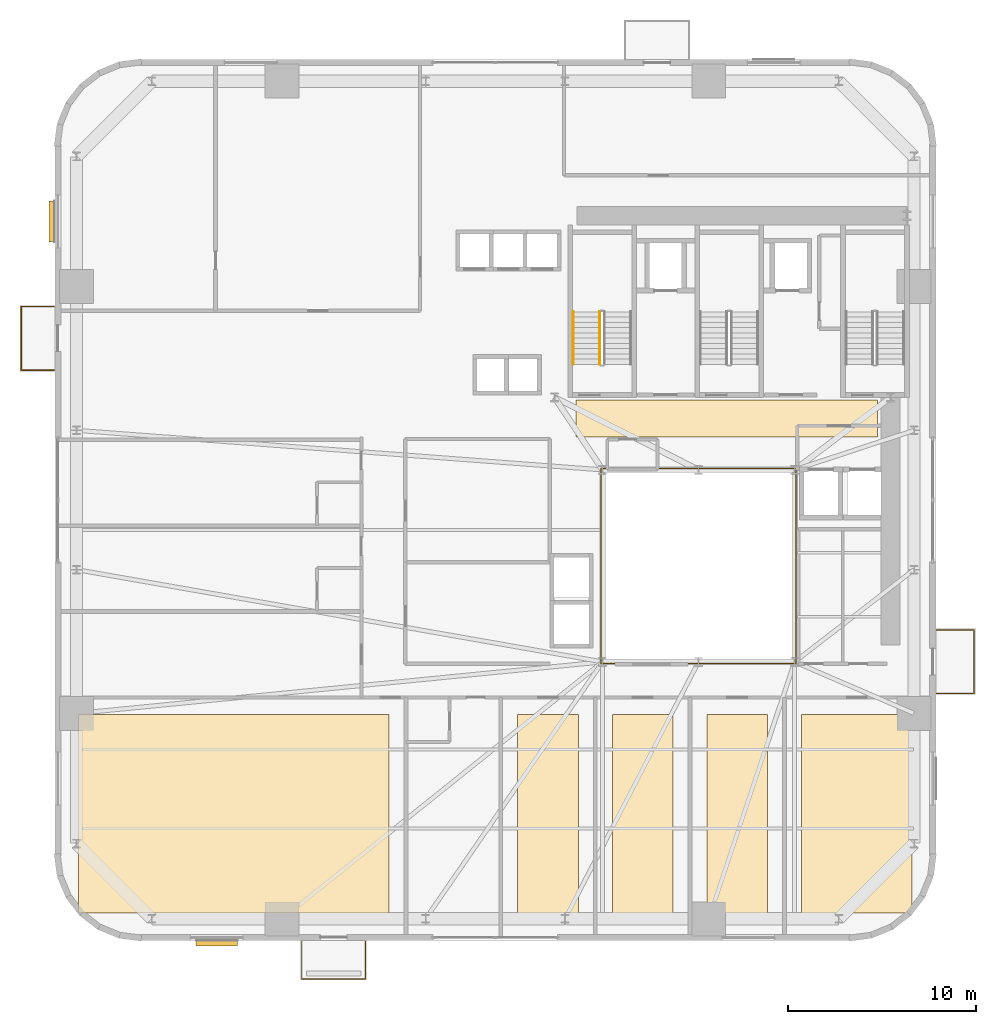
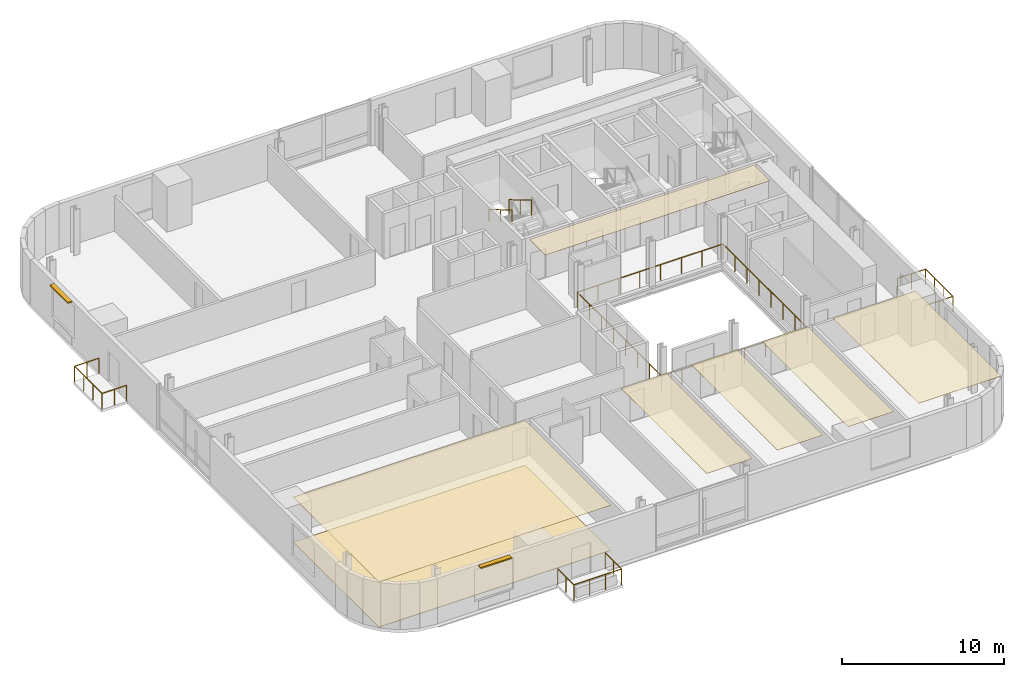
# One storey, part 10 of 11: 7 coverings, 6 railings, 2 shading devices.
"""IFC4 building model written with IfcOpenShell, lengths in metres."""

from ifc_helpers import new_model, si_unit, direction, frame, origin, origin_2d, place, context, subcontext, project, spatial, polyline, rectangle, outline, extrude, source, transform, mapped, material, layer, layer_set, type_object, element, save


model = new_model("IFC4")

# Units and contexts
model_context = context("Model", 3, precision=1e-05, world=origin(), true_north=direction((0.0, 1.0)))
body_context = subcontext(model_context, "Body", "Model", "MODEL_VIEW")
ifc_project = project(units=[si_unit("LENGTHUNIT", "METRE"), si_unit("AREAUNIT", "SQUARE_METRE"), si_unit("VOLUMEUNIT", "CUBIC_METRE"), si_unit("PLANEANGLEUNIT", "RADIAN"), si_unit("MASSUNIT", "GRAM", prefix="KILO")], contexts=[model_context])

# Site, building, storey
site_placement = place(None, origin())
site = spatial("IfcSite", under=ifc_project, at=site_placement, CompositionType="ELEMENT")
building_placement = place(site_placement, origin())
building = spatial("IfcBuilding", under=site, at=building_placement, Name="Vardaveli Station Tower", CompositionType="ELEMENT")
storey_placement = place(building_placement, frame((0.0, 0.0, 42.199951171875)))
storey = spatial("IfcBuildingStorey", under=building, at=storey_placement, Name="L10", CompositionType="ELEMENT", Elevation=42.199951171875)

# Coverings
ifc_material_1 = material(Name="Perforated acoustic mineral ceiling")
ifc_layer_1 = layer(ifc_material_1, 0.02001953125, Name="Perforated acoustic mineral ceiling")
ifc_layer_set_1 = layer_set([ifc_layer_1], Name="Perforated acoustic mineral ceiling")
covering_type_1 = type_object("IfcCoveringType", Name="COV-CEIL-AC20", PredefinedType="CEILING", material=ifc_layer_set_1)
covering_1_placement = place(storey_placement, frame((0.0, 0.0, 3.39501953125)))
element("IfcCovering", 1, at=covering_1_placement, inside=storey, type_object=covering_type_1, Name="CEIL-L10-1", PredefinedType="CEILING", context=body_context, shape_type="SweptSolid", body=[
    extrude(outline(polyline([(3.35009765625, 3.25), (19.860107421875, 3.25), (19.860107421875, 13.81005859375), (3.35009765625, 13.81005859375), (3.35009765625, 3.25)])), origin(), (0.0, 0.0, 1.0), 0.02001953125),
])
covering_2_placement = place(storey_placement, frame((0.0, 0.0, 3.39501953125)))
element("IfcCovering", 2, at=covering_2_placement, inside=storey, type_object=covering_type_1, Name="CEIL-L10-2", PredefinedType="CEILING", context=body_context, shape_type="SweptSolid", body=[
    extrude(outline(polyline([(26.686767578125, 3.25), (29.913330078125, 3.25), (29.913330078125, 13.81005859375), (26.686767578125, 13.81005859375), (26.686767578125, 3.25)])), origin(), (0.0, 0.0, 1.0), 0.02001953125),
])
covering_3_placement = place(storey_placement, frame((0.0, 0.0, 3.39501953125)))
element("IfcCovering", 3, at=covering_3_placement, inside=storey, type_object=covering_type_1, Name="CEIL-L10-3", PredefinedType="CEILING", context=body_context, shape_type="SweptSolid", body=[
    extrude(outline(polyline([(31.71337890625, 3.25), (34.93994140625, 3.25), (34.93994140625, 13.81005859375), (31.71337890625, 13.81005859375), (31.71337890625, 3.25)])), origin(), (0.0, 0.0, 1.0), 0.02001953125),
])
covering_4_placement = place(storey_placement, frame((0.0, 0.0, 3.39501953125)))
element("IfcCovering", 4, at=covering_4_placement, inside=storey, type_object=covering_type_1, Name="CEIL-L10-4", PredefinedType="CEILING", context=body_context, shape_type="SweptSolid", body=[
    extrude(outline(polyline([(36.739990234375, 3.25), (39.966796875, 3.25), (39.966796875, 13.81005859375), (36.739990234375, 13.81005859375), (36.739990234375, 3.25)])), origin(), (0.0, 0.0, 1.0), 0.02001953125),
])
covering_5_placement = place(storey_placement, frame((0.0, 0.0, 3.39501953125)))
element("IfcCovering", 5, at=covering_5_placement, inside=storey, type_object=covering_type_1, Name="CEIL-L10-5", PredefinedType="CEILING", context=body_context, shape_type="SweptSolid", body=[
    extrude(outline(polyline([(41.7666015625, 3.25), (47.64990234375, 3.25), (47.64990234375, 13.81005859375), (41.7666015625, 13.81005859375), (41.7666015625, 3.25)])), origin(), (0.0, 0.0, 1.0), 0.02001953125),
])
covering_6_placement = place(storey_placement, frame((0.0, 0.0, 3.39501953125)))
element("IfcCovering", 6, at=covering_6_placement, inside=storey, type_object=covering_type_1, Name="CEIL-L10-6", PredefinedType="CEILING", context=body_context, shape_type="SweptSolid", body=[
    extrude(outline(polyline([(29.800048828125, 28.550048828125), (45.800048828125, 28.550048828125), (45.800048828125, 30.5), (29.800048828125, 30.5), (29.800048828125, 28.550048828125)])), origin(), (0.0, 0.0, 1.0), 0.02001953125),
])
ifc_material_2 = material(Name="Honed Caucasian basalt and travertine flooring", Category="masonry")
ifc_layer_2 = layer(ifc_material_2, 0.030029296875, Name="Honed Caucasian basalt and travertine flooring")
ifc_layer_set_2 = layer_set([ifc_layer_2], Name="Honed Caucasian basalt and travertine flooring")
covering_type_2 = type_object("IfcCoveringType", Name="COV-FLOOR-ST30", PredefinedType="FLOORING", material=ifc_layer_set_2)
covering_7_placement = place(storey_placement, origin())
element("IfcCovering", 7, at=covering_7_placement, inside=storey, type_object=covering_type_2, Name="FLR-L10-1", PredefinedType="FLOORING", context=body_context, shape_type="SweptSolid", body=[
    extrude(outline(polyline([(3.35009765625, 3.25), (19.860107421875, 3.25), (19.860107421875, 13.81005859375), (3.35009765625, 13.81005859375), (3.35009765625, 3.25)])), origin(), (0.0, 0.0, 1.0), 0.030029296875),
])

# Railings
ifc_material_3 = material(Name="Laminated glass and stainless steel balustrade", Category="steel")
railing_type_1 = type_object("IfcRailingType", Name="RL-BAL-1200", PredefinedType="BALUSTRADE", material=ifc_material_3)
shared_shape_1 = source(origin(), body_context, "Body", "SweptSolid", [
    extrude(rectangle(XDim=0.048095703125, YDim=0.048095703125, at=origin_2d()), frame((0.0, 0.0, 1.17578125), z_axis=(0.0, -1.0, 0.0), x_axis=(1.0, 0.0, 0.0)), (0.0, 0.0, 1.0), 2.0),
    extrude(rectangle(XDim=0.048095703125, YDim=0.048095703125, at=origin_2d()), frame((0.0, -2.0, 1.17578125), z_axis=(1.0, 0.0, 0.0), x_axis=(0.0, 1.0, 0.0)), (0.0, 0.0, 1.0), 3.3798828125),
    extrude(rectangle(XDim=0.048095703125, YDim=0.048095703125, at=origin_2d()), frame((3.3798828125, -2.0, 1.17578125), z_axis=(0.0, 1.0, 0.0), x_axis=(-1.0, 0.0, 0.0)), (0.0, 0.0, 1.0), 2.0),
    extrude(rectangle(XDim=0.0419921875, YDim=0.0419921875, at=origin_2d()), origin(), (0.0, 0.0, 1.0), 1.15185546875),
    extrude(rectangle(XDim=0.0419921875, YDim=0.0419921875, at=origin_2d()), frame((0.0, -1.0, 0.0)), (0.0, 0.0, 1.0), 1.15185546875),
    extrude(rectangle(XDim=0.0419921875, YDim=0.0419921875, at=origin_2d()), frame((0.0, -2.0, 0.0)), (0.0, 0.0, 1.0), 1.15185546875),
    extrude(rectangle(XDim=0.0419921875, YDim=0.0419921875, at=origin_2d()), frame((1.126708984375, -2.0, 0.0)), (0.0, 0.0, 1.0), 1.15185546875),
    extrude(rectangle(XDim=0.0419921875, YDim=0.0419921875, at=origin_2d()), frame((2.253173828125, -2.0, 0.0)), (0.0, 0.0, 1.0), 1.15185546875),
    extrude(rectangle(XDim=0.0419921875, YDim=0.0419921875, at=origin_2d()), frame((3.3798828125, -2.0, 0.0)), (0.0, 0.0, 1.0), 1.15185546875),
    extrude(rectangle(XDim=0.0419921875, YDim=0.0419921875, at=origin_2d()), frame((3.3798828125, -1.0, 0.0)), (0.0, 0.0, 1.0), 1.15185546875),
    extrude(rectangle(XDim=0.0419921875, YDim=0.0419921875, at=origin_2d()), frame((3.3798828125, 0.0, 0.0)), (0.0, 0.0, 1.0), 1.15185546875),
])
railing_1_placement = place(storey_placement, frame((15.220458984375, 1.760009765625, 0.0)))
element("IfcRailing", 8, at=railing_1_placement, inside=storey, type_object=railing_type_1, Name="RL-LOG-L10-01", PredefinedType="BALUSTRADE", context=body_context, shape_type="MappedRepresentation", body=[
    mapped(shared_shape_1, transform((0.0, 0.0, 0.0), scale=1.0)),
])
shared_shape_2 = source(origin(), body_context, "Body", "SweptSolid", [
    extrude(rectangle(XDim=0.048095703125, YDim=0.048095703125, at=origin_2d()), frame((0.0, 0.0, 1.17578125), z_axis=(-1.0, 0.0, 0.0), x_axis=(0.0, -1.0, 0.0)), (0.0, 0.0, 1.0), 1.75),
    extrude(rectangle(XDim=0.048095703125, YDim=0.048095703125, at=origin_2d()), frame((-1.75, 0.0, 1.17578125), z_axis=(0.0, 1.0, 0.0), x_axis=(-1.0, 0.0, 0.0)), (0.0, 0.0, 1.0), 3.3798828125),
    extrude(rectangle(XDim=0.048095703125, YDim=0.048095703125, at=origin_2d()), frame((-1.75, 3.3798828125, 1.17578125), z_axis=(1.0, 0.0, 0.0), x_axis=(0.0, 1.0, 0.0)), (0.0, 0.0, 1.0), 1.75),
    extrude(rectangle(XDim=0.0419921875, YDim=0.0419921875, at=origin_2d()), origin(), (0.0, 0.0, 1.0), 1.15185546875),
    extrude(rectangle(XDim=0.0419921875, YDim=0.0419921875, at=origin_2d()), frame((-0.875, 0.0, 0.0)), (0.0, 0.0, 1.0), 1.15185546875),
    extrude(rectangle(XDim=0.0419921875, YDim=0.0419921875, at=origin_2d()), frame((-1.75, 0.0, 0.0)), (0.0, 0.0, 1.0), 1.15185546875),
    extrude(rectangle(XDim=0.0419921875, YDim=0.0419921875, at=origin_2d()), frame((-1.75, 1.126708984375, 0.0)), (0.0, 0.0, 1.0), 1.15185546875),
    extrude(rectangle(XDim=0.0419921875, YDim=0.0419921875, at=origin_2d()), frame((-1.75, 2.253173828125, 0.0)), (0.0, 0.0, 1.0), 1.15185546875),
    extrude(rectangle(XDim=0.0419921875, YDim=0.0419921875, at=origin_2d()), frame((-1.75, 3.3798828125, 0.0)), (0.0, 0.0, 1.0), 1.15185546875),
    extrude(rectangle(XDim=0.0419921875, YDim=0.0419921875, at=origin_2d()), frame((-0.875, 3.3798828125, 0.0)), (0.0, 0.0, 1.0), 1.15185546875),
    extrude(rectangle(XDim=0.0419921875, YDim=0.0419921875, at=origin_2d()), frame((0.0, 3.3798828125, 0.0)), (0.0, 0.0, 1.0), 1.15185546875),
])
railing_2_placement = place(storey_placement, frame((2.06005859375, 32.099609375, 0.0)))
element("IfcRailing", 9, at=railing_2_placement, inside=storey, type_object=railing_type_1, Name="RL-LOG-L10-03", PredefinedType="BALUSTRADE", context=body_context, shape_type="MappedRepresentation", body=[
    mapped(shared_shape_2, transform((0.0, 0.0, 0.0), scale=1.0)),
])

# Shading devices
ifc_material_4 = material(Name="Anodised champagne aluminium sunshade", Category="aluminium")
ifc_layer_3 = layer(ifc_material_4, 0.090087890625, Name="Anodised champagne aluminium sunshade")
ifc_layer_set_3 = layer_set([ifc_layer_3], Name="Anodised champagne aluminium sunshade")
shading_device_type = type_object("IfcShadingDeviceType", Name="SHD-SUNSHADE", PredefinedType="USERDEFINED", material=ifc_layer_set_3)
shared_shape_3 = source(origin(), body_context, "Body", "SweptSolid", [
    extrude(rectangle(XDim=2.199951171875, YDim=0.320068359375, at=origin_2d()), origin(), (0.0, 0.0, 1.0), 0.090087890625),
])
for number, where, z_axis, x_axis, name in (
    (10, (10.705078125, 1.655029296875, 3.2900390625), (0.0, 0.0, 1.0), (1.0, 0.0, 0.0), "SHD-SS-L10-S"),
    (11, (1.955078125, 39.9951171875, 3.2900390625), (0.0, 0.0, 1.0), (0.0, 1.0, 0.0), "SHD-SS-L10-W"),
):
    element("IfcShadingDevice", number, at=place(storey_placement, frame(where, z_axis=z_axis, x_axis=x_axis)), inside=storey, type_object=shading_device_type, Name=name, ObjectType="SUNSHADE", PredefinedType="USERDEFINED", context=body_context, shape_type="MappedRepresentation", body=[
        mapped(shared_shape_3, transform((0.0, 0.0, 0.0), scale=1.0)),
    ])

# Railings
shared_shape_4 = source(origin(), body_context, "Body", "SweptSolid", [
    extrude(rectangle(XDim=0.048095703125, YDim=0.048095703125, at=origin_2d()), frame((0.0, 0.0, 1.17578125), z_axis=(1.0, 0.0, 0.0), x_axis=(0.0, 1.0, 0.0)), (0.0, 0.0, 1.0), 2.0),
    extrude(rectangle(XDim=0.048095703125, YDim=0.048095703125, at=origin_2d()), frame((2.0, 0.0, 1.17578125), z_axis=(0.0, 1.0, 0.0), x_axis=(-1.0, 0.0, 0.0)), (0.0, 0.0, 1.0), 3.3798828125),
    extrude(rectangle(XDim=0.048095703125, YDim=0.048095703125, at=origin_2d()), frame((2.0, 3.3798828125, 1.17578125), z_axis=(-1.0, 0.0, 0.0), x_axis=(0.0, -1.0, 0.0)), (0.0, 0.0, 1.0), 2.0),
    extrude(rectangle(XDim=0.0419921875, YDim=0.0419921875, at=origin_2d()), origin(), (0.0, 0.0, 1.0), 1.15185546875),
    extrude(rectangle(XDim=0.0419921875, YDim=0.0419921875, at=origin_2d()), frame((1.0, 0.0, 0.0)), (0.0, 0.0, 1.0), 1.15185546875),
    extrude(rectangle(XDim=0.0419921875, YDim=0.0419921875, at=origin_2d()), frame((2.0, 0.0, 0.0)), (0.0, 0.0, 1.0), 1.15185546875),
    extrude(rectangle(XDim=0.0419921875, YDim=0.0419921875, at=origin_2d()), frame((2.0, 1.126708984375, 0.0)), (0.0, 0.0, 1.0), 1.15185546875),
    extrude(rectangle(XDim=0.0419921875, YDim=0.0419921875, at=origin_2d()), frame((2.0, 2.253173828125, 0.0)), (0.0, 0.0, 1.0), 1.15185546875),
    extrude(rectangle(XDim=0.0419921875, YDim=0.0419921875, at=origin_2d()), frame((2.0, 3.3798828125, 0.0)), (0.0, 0.0, 1.0), 1.15185546875),
    extrude(rectangle(XDim=0.0419921875, YDim=0.0419921875, at=origin_2d()), frame((1.0, 3.3798828125, 0.0)), (0.0, 0.0, 1.0), 1.15185546875),
    extrude(rectangle(XDim=0.0419921875, YDim=0.0419921875, at=origin_2d()), frame((0.0, 3.3798828125, 0.0)), (0.0, 0.0, 1.0), 1.15185546875),
])
railing_3_placement = place(storey_placement, frame((48.93994140625, 14.92041015625, 0.0)))
element("IfcRailing", 12, at=railing_3_placement, inside=storey, type_object=railing_type_1, Name="RL-LOG-L10-04", PredefinedType="BALUSTRADE", context=body_context, shape_type="MappedRepresentation", body=[
    mapped(shared_shape_4, transform((0.0, 0.0, 0.0), scale=1.0)),
])
ifc_material_5 = material(Name="Brushed AISI 316 stainless steel", Category="steel")
railing_type_2 = type_object("IfcRailingType", Name="RL-GUARD-1150", PredefinedType="GUARDRAIL", material=ifc_material_5)
shared_shape_5 = source(origin(), body_context, "Body", "SweptSolid", [
    extrude(rectangle(XDim=0.048095703125, YDim=0.048095703125, at=origin_2d()), frame((0.0, 0.0, 1.1259765625), z_axis=(0.0, -0.860306154799, 0.50977771628), x_axis=(1.0, 0.0, 0.0)), (0.0, 0.0, 1.0), 3.254638671875),
    extrude(rectangle(XDim=0.0419921875, YDim=0.0419921875, at=origin_2d()), origin(), (0.0, 0.0, 1.0), 1.101806640625),
    extrude(rectangle(XDim=0.0419921875, YDim=0.0419921875, at=origin_2d()), frame((0.0, -1.39990234375, 0.82958984375)), (0.0, 0.0, 1.0), 1.101806640625),
    extrude(rectangle(XDim=0.0419921875, YDim=0.0419921875, at=origin_2d()), frame((0.0, -2.800048828125, 1.6591796875)), (0.0, 0.0, 1.0), 1.101806640625),
])
railing_4_placement = place(storey_placement, frame((31.050048828125, 35.199951171875, 1.990966796875)))
element("IfcRailing", 13, at=railing_4_placement, inside=storey, type_object=railing_type_2, Name="L10 ST-1 stair guard 3", PredefinedType="GUARDRAIL", context=body_context, shape_type="MappedRepresentation", body=[
    mapped(shared_shape_5, transform((0.0, 0.0, 0.0), scale=1.0)),
])
railing_type_3 = type_object("IfcRailingType", Name="RL-HAND-900", PredefinedType="HANDRAIL", material=ifc_material_5)
shared_shape_6 = source(origin(), body_context, "Body", "SweptSolid", [
    extrude(rectangle(XDim=0.048095703125, YDim=0.048095703125, at=origin_2d()), frame((0.0, 0.0, 0.8759765625), z_axis=(0.0, -0.860306154799, 0.50977771628), x_axis=(1.0, 0.0, 0.0)), (0.0, 0.0, 1.0), 3.254638671875),
    extrude(rectangle(XDim=0.0419921875, YDim=0.0419921875, at=origin_2d()), origin(), (0.0, 0.0, 1.0), 0.851806640625),
    extrude(rectangle(XDim=0.0419921875, YDim=0.0419921875, at=origin_2d()), frame((0.0, -1.39990234375, 0.82958984375)), (0.0, 0.0, 1.0), 0.851806640625),
    extrude(rectangle(XDim=0.0419921875, YDim=0.0419921875, at=origin_2d()), frame((0.0, -2.800048828125, 1.6591796875)), (0.0, 0.0, 1.0), 0.851806640625),
])
railing_5_placement = place(storey_placement, frame((29.64990234375, 35.199951171875, 1.990966796875)))
element("IfcRailing", 14, at=railing_5_placement, inside=storey, type_object=railing_type_3, Name="L10 ST-1 stair handrail 2", PredefinedType="HANDRAIL", context=body_context, shape_type="MappedRepresentation", body=[
    mapped(shared_shape_6, transform((0.0, 0.0, 0.0), scale=1.0)),
])
shared_shape_7 = source(origin(), body_context, "Body", "SweptSolid", [
    extrude(rectangle(XDim=0.048095703125, YDim=0.048095703125, at=origin_2d()), frame((0.0, 0.0, 1.17578125), z_axis=(1.0, 0.0, 0.0), x_axis=(0.0, 1.0, 0.0)), (0.0, 0.0, 1.0), 10.35986328125),
    extrude(rectangle(XDim=0.048095703125, YDim=0.048095703125, at=origin_2d()), frame((10.35986328125, 0.0, 1.17578125), z_axis=(0.0, 1.0, 0.0), x_axis=(-1.0, 0.0, 0.0)), (0.0, 0.0, 1.0), 10.35986328125),
    extrude(rectangle(XDim=0.048095703125, YDim=0.048095703125, at=origin_2d()), frame((10.35986328125, 10.35986328125, 1.17578125), z_axis=(-1.0, 0.0, 0.0), x_axis=(0.0, -1.0, 0.0)), (0.0, 0.0, 1.0), 10.35986328125),
    extrude(rectangle(XDim=0.048095703125, YDim=0.048095703125, at=origin_2d()), frame((0.0, 10.35986328125, 1.17578125), z_axis=(0.0, -1.0, 0.0), x_axis=(1.0, 0.0, 0.0)), (0.0, 0.0, 1.0), 10.35986328125),
    extrude(rectangle(XDim=0.0419921875, YDim=0.0419921875, at=origin_2d()), origin(), (0.0, 0.0, 1.0), 1.15185546875),
    extrude(rectangle(XDim=0.0419921875, YDim=0.0419921875, at=origin_2d()), frame((1.47998046875, 0.0, 0.0)), (0.0, 0.0, 1.0), 1.15185546875),
    extrude(rectangle(XDim=0.0419921875, YDim=0.0419921875, at=origin_2d()), frame((2.9599609375, 0.0, 0.0)), (0.0, 0.0, 1.0), 1.15185546875),
    extrude(rectangle(XDim=0.0419921875, YDim=0.0419921875, at=origin_2d()), frame((4.43994140625, 0.0, 0.0)), (0.0, 0.0, 1.0), 1.15185546875),
    extrude(rectangle(XDim=0.0419921875, YDim=0.0419921875, at=origin_2d()), frame((5.919921875, 0.0, 0.0)), (0.0, 0.0, 1.0), 1.15185546875),
    extrude(rectangle(XDim=0.0419921875, YDim=0.0419921875, at=origin_2d()), frame((7.39990234375, 0.0, 0.0)), (0.0, 0.0, 1.0), 1.15185546875),
    extrude(rectangle(XDim=0.0419921875, YDim=0.0419921875, at=origin_2d()), frame((8.8798828125, 0.0, 0.0)), (0.0, 0.0, 1.0), 1.15185546875),
    extrude(rectangle(XDim=0.0419921875, YDim=0.0419921875, at=origin_2d()), frame((10.35986328125, 0.0, 0.0)), (0.0, 0.0, 1.0), 1.15185546875),
    extrude(rectangle(XDim=0.0419921875, YDim=0.0419921875, at=origin_2d()), frame((10.35986328125, 1.47998046875, 0.0)), (0.0, 0.0, 1.0), 1.15185546875),
    extrude(rectangle(XDim=0.0419921875, YDim=0.0419921875, at=origin_2d()), frame((10.35986328125, 2.9599609375, 0.0)), (0.0, 0.0, 1.0), 1.15185546875),
    extrude(rectangle(XDim=0.0419921875, YDim=0.0419921875, at=origin_2d()), frame((10.35986328125, 4.43994140625, 0.0)), (0.0, 0.0, 1.0), 1.15185546875),
    extrude(rectangle(XDim=0.0419921875, YDim=0.0419921875, at=origin_2d()), frame((10.35986328125, 5.919921875, 0.0)), (0.0, 0.0, 1.0), 1.15185546875),
    extrude(rectangle(XDim=0.0419921875, YDim=0.0419921875, at=origin_2d()), frame((10.35986328125, 7.39990234375, 0.0)), (0.0, 0.0, 1.0), 1.15185546875),
    extrude(rectangle(XDim=0.0419921875, YDim=0.0419921875, at=origin_2d()), frame((10.35986328125, 8.8798828125, 0.0)), (0.0, 0.0, 1.0), 1.15185546875),
    extrude(rectangle(XDim=0.0419921875, YDim=0.0419921875, at=origin_2d()), frame((10.35986328125, 10.35986328125, 0.0)), (0.0, 0.0, 1.0), 1.15185546875),
    extrude(rectangle(XDim=0.0419921875, YDim=0.0419921875, at=origin_2d()), frame((8.8798828125, 10.35986328125, 0.0)), (0.0, 0.0, 1.0), 1.15185546875),
    extrude(rectangle(XDim=0.0419921875, YDim=0.0419921875, at=origin_2d()), frame((7.39990234375, 10.35986328125, 0.0)), (0.0, 0.0, 1.0), 1.15185546875),
    extrude(rectangle(XDim=0.0419921875, YDim=0.0419921875, at=origin_2d()), frame((5.919921875, 10.35986328125, 0.0)), (0.0, 0.0, 1.0), 1.15185546875),
    extrude(rectangle(XDim=0.0419921875, YDim=0.0419921875, at=origin_2d()), frame((4.43994140625, 10.35986328125, 0.0)), (0.0, 0.0, 1.0), 1.15185546875),
    extrude(rectangle(XDim=0.0419921875, YDim=0.0419921875, at=origin_2d()), frame((2.9599609375, 10.35986328125, 0.0)), (0.0, 0.0, 1.0), 1.15185546875),
    extrude(rectangle(XDim=0.0419921875, YDim=0.0419921875, at=origin_2d()), frame((1.47998046875, 10.35986328125, 0.0)), (0.0, 0.0, 1.0), 1.15185546875),
    extrude(rectangle(XDim=0.0419921875, YDim=0.0419921875, at=origin_2d()), frame((0.0, 10.35986328125, 0.0)), (0.0, 0.0, 1.0), 1.15185546875),
    extrude(rectangle(XDim=0.0419921875, YDim=0.0419921875, at=origin_2d()), frame((0.0, 8.8798828125, 0.0)), (0.0, 0.0, 1.0), 1.15185546875),
    extrude(rectangle(XDim=0.0419921875, YDim=0.0419921875, at=origin_2d()), frame((0.0, 7.39990234375, 0.0)), (0.0, 0.0, 1.0), 1.15185546875),
    extrude(rectangle(XDim=0.0419921875, YDim=0.0419921875, at=origin_2d()), frame((0.0, 5.919921875, 0.0)), (0.0, 0.0, 1.0), 1.15185546875),
    extrude(rectangle(XDim=0.0419921875, YDim=0.0419921875, at=origin_2d()), frame((0.0, 4.43994140625, 0.0)), (0.0, 0.0, 1.0), 1.15185546875),
    extrude(rectangle(XDim=0.0419921875, YDim=0.0419921875, at=origin_2d()), frame((0.0, 2.9599609375, 0.0)), (0.0, 0.0, 1.0), 1.15185546875),
    extrude(rectangle(XDim=0.0419921875, YDim=0.0419921875, at=origin_2d()), frame((0.0, 1.47998046875, 0.0)), (0.0, 0.0, 1.0), 1.15185546875),
])
railing_6_placement = place(storey_placement, frame((31.1201171875, 16.52001953125, 0.0)))
element("IfcRailing", 15, at=railing_6_placement, inside=storey, type_object=railing_type_1, Name="RL-ATR-L10", PredefinedType="BALUSTRADE", context=body_context, shape_type="MappedRepresentation", body=[
    mapped(shared_shape_7, transform((0.0, 0.0, 0.0), scale=1.0)),
])

save(model, "model.ifc")
